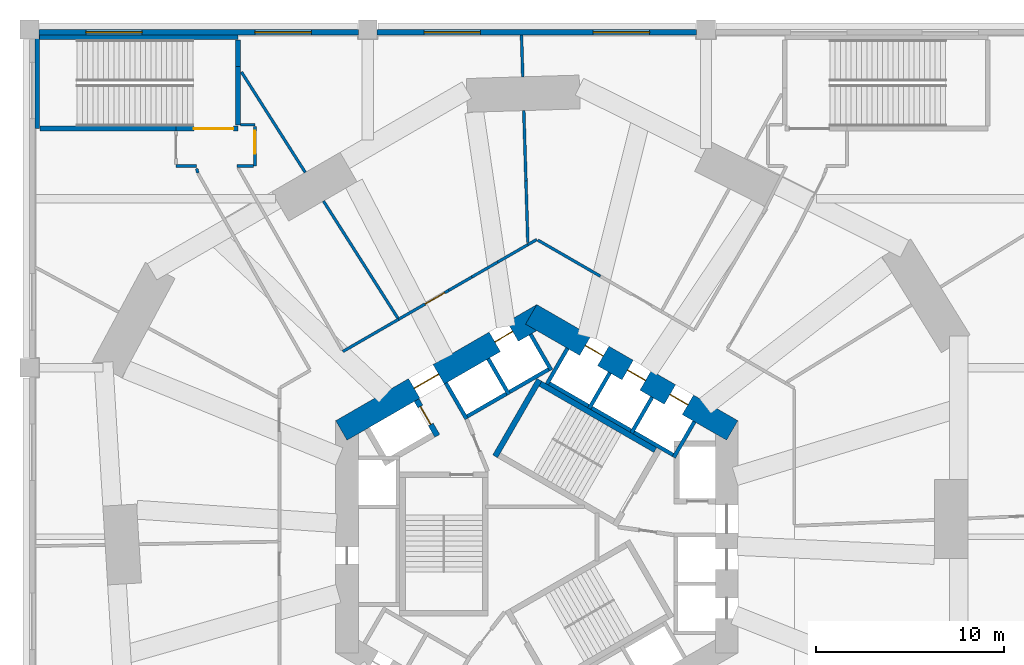
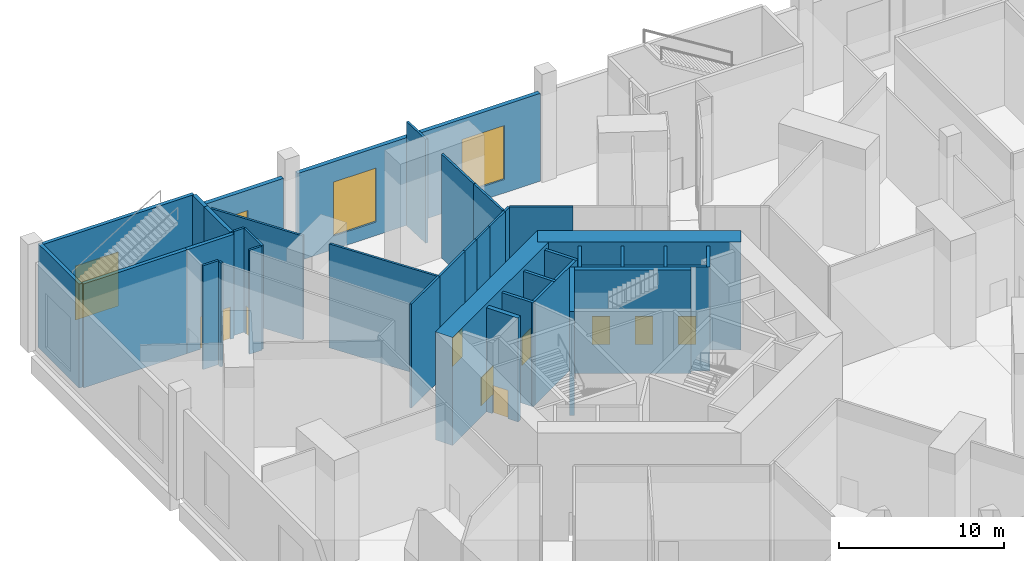
# One storey, part 9 of 15: 39 walls, 9 doors, 4 windows, 13 openings.
"""IFC4 building model written with IfcOpenShell, lengths in metres."""

from ifc_helpers import new_model, si_unit, direction, frame, frame_2d, origin, place, context, subcontext, project, spatial, rectangle, extrude, material, layer, layer_set, type_object, element, fill, save


model = new_model("IFC4")

# Units and contexts
model_context = context("Model", 3, precision=1e-05, world=origin(), true_north=direction((0.0, 1.0)))
body_context = subcontext(model_context, "Body", "Model", "MODEL_VIEW")
ifc_project = project(units=[si_unit("LENGTHUNIT", "METRE"), si_unit("AREAUNIT", "SQUARE_METRE"), si_unit("VOLUMEUNIT", "CUBIC_METRE"), si_unit("PLANEANGLEUNIT", "RADIAN"), si_unit("MASSUNIT", "GRAM", prefix="KILO")], contexts=[model_context])

# Site, building, storey
site_placement = place(None, origin())
site = spatial("IfcSite", under=ifc_project, at=site_placement, CompositionType="ELEMENT")
building_placement = place(site_placement, origin())
building = spatial("IfcBuilding", under=site, at=building_placement, Name="Vanh Sen Convention Tower", CompositionType="ELEMENT")
storey_placement = place(building_placement, frame((0.0, 0.0, 13.0)))
storey = spatial("IfcBuildingStorey", under=building, at=storey_placement, Name="L02", CompositionType="ELEMENT", Elevation=13.0)

# Wall
ifc_material_1 = material(Name="Concrete C40/50", Category="concrete")
ifc_layer_1 = layer(ifc_material_1, 0.25)
ifc_layer_set_1 = layer_set([ifc_layer_1], Name="Concrete C40/50")
wall_type_1 = type_object("IfcWallType", Name="Concrete wall 250 REI 180", PredefinedType="SOLIDWALL", material=ifc_layer_set_1)
wall_1_placement = place(storey_placement, frame((-19.199951171875, 21.72509765625, 0.0), z_axis=(0.0, 0.0, 1.0), x_axis=(-1.0, 0.0, 0.0)))
element("IfcWall", 1, at=wall_1_placement, inside=storey, type_object=wall_type_1, Name="Fire-resisting wall L02-106", PredefinedType="SOLIDWALL", context=body_context, shape_type="SweptSolid", body=[
    extrude(rectangle(XDim=7.239990234375, YDim=0.25, at=frame_2d((3.6201171875, 0.0))), origin(), (0.0, 0.0, 1.0), 7.699951171875),
])

# Wall, opening, door
wall_2_placement = place(storey_placement, frame((-15.89990234375, 21.72509765625, 0.0), z_axis=(0.0, 0.0, 1.0), x_axis=(-1.0, 0.0, 0.0)))
wall_2 = element("IfcWall", 2, at=wall_2_placement, inside=storey, type_object=wall_type_1, Name="Fire-resisting wall L02-107", PredefinedType="SOLIDWALL", context=body_context, shape_type="SweptSolid", body=[
    extrude(rectangle(XDim=3.300048828125, YDim=0.25, at=frame_2d((1.64990234375, 0.0))), origin(), (0.0, 0.0, 1.0), 7.699951171875),
])
opening_1_placement = place(wall_2_placement, frame((0.25, 0.0, 0.0)))
opening_1 = element("IfcOpeningElement", 3, at=opening_1_placement, cuts=wall_2, Name="Opening D02124", PredefinedType="OPENING", context=body_context, shape_type="SweptSolid", body=[
    extrude(rectangle(XDim=2.10009765625, YDim=2.39990234375, at=frame_2d((1.050048828125, 1.199951171875))), frame((0.0, 0.135009765625, 0.0), z_axis=(0.0, -1.0, 0.0), x_axis=(1.0, 0.0, 0.0)), (0.0, 0.0, 1.0), 0.27001953125),
])
ifc_material_2 = material(Name="Steel S355", Category="steel")
door_type_1 = type_object("IfcDoorType", Name="Stair door 2100 EI 60", OperationType="DOUBLE_DOOR_SINGLE_SWING", PredefinedType="DOOR", material=ifc_material_2)
door_1_placement = place(opening_1_placement, frame((2.10009765625, 0.0, 0.0), z_axis=(0.0, 0.0, 1.0), x_axis=(-1.0, 0.0, 0.0)))
door_1 = element("IfcDoor", 4, at=door_1_placement, inside=storey, type_object=door_type_1, Name="Stair door D02124", OperationType="DOUBLE_DOOR_SINGLE_SWING", OverallHeight=2.39990234375, OverallWidth=2.10009765625, PredefinedType="DOOR", context=body_context, shape_type="SweptSolid", body=[
    extrude(rectangle(XDim=2.10009765625, YDim=2.39990234375, at=frame_2d((1.050048828125, 1.199951171875))), frame((0.0, 0.02490234375, 0.0), z_axis=(0.0, -1.0, 0.0), x_axis=(1.0, 0.0, 0.0)), (0.0, 0.0, 1.0), 0.050048828125),
])
fill(opening_1, door_1)

# Walls
wall_3_placement = place(storey_placement, frame((-15.89990234375, 25.021484375, 0.0), z_axis=(0.0, 0.0, 1.0), x_axis=(0.0, -1.0, 0.0)))
element("IfcWall", 5, at=wall_3_placement, inside=storey, type_object=wall_type_1, Name="Fire-resisting wall L02-117", PredefinedType="SOLIDWALL", context=body_context, shape_type="SweptSolid", body=[
    extrude(rectangle(XDim=3.096435546875, YDim=0.25, at=frame_2d((1.54833984375, 0.0))), origin(), (0.0, 0.0, 1.0), 7.699951171875),
])
wall_4_placement = place(storey_placement, frame((-15.89990234375, 26.43994140625, 0.0), z_axis=(0.0, 0.0, 1.0), x_axis=(0.0, -1.0, 0.0)))
element("IfcWall", 6, at=wall_4_placement, inside=storey, type_object=wall_type_1, Name="Fire-resisting wall L02-118", PredefinedType="SOLIDWALL", context=body_context, shape_type="SweptSolid", body=[
    extrude(rectangle(XDim=1.41845703125, YDim=0.25, at=frame_2d((0.709228515625, 0.0))), origin(), (0.0, 0.0, 1.0), 7.699951171875),
])
wall_5_placement = place(storey_placement, frame((-26.574951171875, 21.72509765625, 0.0), z_axis=(0.0, 0.0, 1.0), x_axis=(0.0, 1.0, 0.0)))
element("IfcWall", 7, at=wall_5_placement, inside=storey, type_object=wall_type_1, Name="Stair enclosure wall PS5 L02", PredefinedType="SOLIDWALL", context=body_context, shape_type="SweptSolid", body=[
    extrude(rectangle(XDim=4.974853515625, YDim=0.25, at=frame_2d((2.4873046875, 0.0))), origin(), (0.0, 0.0, 1.0), 7.699951171875),
])
wall_6_placement = place(storey_placement, frame((-26.449951171875, 26.574951171875, 0.0), z_axis=(0.0, 0.0, 1.0), x_axis=(1.0, 0.0, 0.0)))
element("IfcWall", 8, at=wall_6_placement, inside=storey, type_object=wall_type_1, Name="Stair enclosure wall PS5 L02", PredefinedType="SOLIDWALL", context=body_context, shape_type="SweptSolid", body=[
    extrude(rectangle(XDim=10.550048828125, YDim=0.25, at=frame_2d((5.27490234375, 0.0))), origin(), (0.0, 0.0, 1.0), 7.699951171875),
])

# Wall, openings, doors
ifc_material_3 = material(Name="Concrete C80/95", Category="concrete")
ifc_layer_2 = layer(ifc_material_3, 1.199951171875)
ifc_layer_set_2 = layer_set([ifc_layer_2], Name="Concrete C80/95")
wall_type_2 = type_object("IfcWallType", Name="Core outer wall 1200 C80/95", PredefinedType="SHEAR", material=ifc_layer_set_2)
wall_7_placement = place(storey_placement, frame((10.39990234375, 5.657958984375, 0.0), z_axis=(0.0, 0.0, 1.0), x_axis=(-0.866021384402, 0.500006961711, 0.0)))
wall_7 = element("IfcWall", 9, at=wall_7_placement, inside=storey, type_object=wall_type_2, Name="Core wall face NE L02", PredefinedType="SHEAR", context=body_context, shape_type="SweptSolid", body=[
    extrude(rectangle(XDim=12.355224609375, YDim=1.199951171875, at=frame_2d((6.177734375, 0.0))), origin(), (0.0, 0.0, 1.0), 8.0),
])
opening_2_placement = place(wall_7_placement, frame((2.727783203125, 0.0, 0.0)))
opening_2 = element("IfcOpeningElement", 10, at=opening_2_placement, cuts=wall_7, Name="Opening LD-LR3", PredefinedType="OPENING", context=body_context, shape_type="SweptSolid", body=[
    extrude(rectangle(XDim=1.10009765625, YDim=2.10009765625, at=frame_2d((0.550048828125, 1.050048828125))), frame((0.0, 0.60986328125, 0.0), z_axis=(0.0, -1.0, 0.0), x_axis=(1.0, 0.0, 0.0)), (0.0, 0.0, 1.0), 1.219970703125),
])
opening_3_placement = place(wall_7_placement, frame((5.32763671875, 0.0, 0.0)))
opening_3 = element("IfcOpeningElement", 11, at=opening_3_placement, cuts=wall_7, Name="Opening LD-LR4", PredefinedType="OPENING", context=body_context, shape_type="SweptSolid", body=[
    extrude(rectangle(XDim=1.10009765625, YDim=2.10009765625, at=frame_2d((0.550048828125, 1.050048828125))), frame((0.0, 0.60986328125, 0.0), z_axis=(0.0, -1.0, 0.0), x_axis=(1.0, 0.0, 0.0)), (0.0, 0.0, 1.0), 1.219970703125),
])
opening_4_placement = place(wall_7_placement, frame((7.927734375, 0.0, 0.0)))
opening_4 = element("IfcOpeningElement", 12, at=opening_4_placement, cuts=wall_7, Name="Opening LD-LR5", PredefinedType="OPENING", context=body_context, shape_type="SweptSolid", body=[
    extrude(rectangle(XDim=1.10009765625, YDim=2.10009765625, at=frame_2d((0.550048828125, 1.050048828125))), frame((0.0, 0.60986328125, 0.0), z_axis=(0.0, -1.0, 0.0), x_axis=(1.0, 0.0, 0.0)), (0.0, 0.0, 1.0), 1.219970703125),
])
ifc_material_4 = material(Name="Stainless steel", Category="steel")
door_type_2 = type_object("IfcDoorType", Name="Lift landing door 1100", OperationType="DOUBLE_DOOR_SLIDING", PredefinedType="DOOR", material=ifc_material_4)
door_2_placement = place(opening_2_placement, origin())
door_2 = element("IfcDoor", 13, at=door_2_placement, inside=storey, type_object=door_type_2, Name="Lift LR3 landing door LD-LR3", OperationType="DOUBLE_DOOR_SLIDING", OverallHeight=2.10009765625, OverallWidth=1.10009765625, PredefinedType="DOOR", context=body_context, shape_type="SweptSolid", body=[
    extrude(rectangle(XDim=1.10009765625, YDim=2.10009765625, at=frame_2d((0.550048828125, 1.050048828125))), frame((0.0, 0.02490234375, 0.0), z_axis=(0.0, -1.0, 0.0), x_axis=(1.0, 0.0, 0.0)), (0.0, 0.0, 1.0), 0.050048828125),
])
fill(opening_2, door_2)
door_3_placement = place(opening_3_placement, origin())
door_3 = element("IfcDoor", 14, at=door_3_placement, inside=storey, type_object=door_type_2, Name="Lift LR4 landing door LD-LR4", OperationType="DOUBLE_DOOR_SLIDING", OverallHeight=2.10009765625, OverallWidth=1.10009765625, PredefinedType="DOOR", context=body_context, shape_type="SweptSolid", body=[
    extrude(rectangle(XDim=1.10009765625, YDim=2.10009765625, at=frame_2d((0.550048828125, 1.050048828125))), frame((0.0, 0.02490234375, 0.0), z_axis=(0.0, -1.0, 0.0), x_axis=(1.0, 0.0, 0.0)), (0.0, 0.0, 1.0), 0.050048828125),
])
fill(opening_3, door_3)
door_4_placement = place(opening_4_placement, origin())
door_4 = element("IfcDoor", 15, at=door_4_placement, inside=storey, type_object=door_type_2, Name="Lift LR5 landing door LD-LR5", OperationType="DOUBLE_DOOR_SLIDING", OverallHeight=2.10009765625, OverallWidth=1.10009765625, PredefinedType="DOOR", context=body_context, shape_type="SweptSolid", body=[
    extrude(rectangle(XDim=1.10009765625, YDim=2.10009765625, at=frame_2d((0.550048828125, 1.050048828125))), frame((0.0, 0.02490234375, 0.0), z_axis=(0.0, -1.0, 0.0), x_axis=(1.0, 0.0, 0.0)), (0.0, 0.0, 1.0), 0.050048828125),
])
fill(opening_4, door_4)

wall_8_placement = place(storey_placement, frame((0.300048828125, 11.835693359375, 0.0), z_axis=(0.0, 0.0, 1.0), x_axis=(-0.866021384402, -0.500006961711, 0.0)))
wall_8 = element("IfcWall", 16, at=wall_8_placement, inside=storey, type_object=wall_type_2, Name="Core wall face NW L02", PredefinedType="SHEAR", context=body_context, shape_type="SweptSolid", body=[
    extrude(rectangle(XDim=12.355224609375, YDim=1.199951171875, at=frame_2d((6.177734375, 0.0))), origin(), (0.0, 0.0, 1.0), 8.0),
])
opening_5_placement = place(wall_8_placement, frame((6.377685546875, 0.0, 0.0)))
opening_5 = element("IfcOpeningElement", 17, at=opening_5_placement, cuts=wall_8, Name="Opening D02002", PredefinedType="OPENING", context=body_context, shape_type="SweptSolid", body=[
    extrude(rectangle(XDim=1.5, YDim=2.10009765625, at=frame_2d((0.75, 1.050048828125))), frame((0.0, 0.60986328125, 0.0), z_axis=(0.0, -1.0, 0.0), x_axis=(1.0, 0.0, 0.0)), (0.0, 0.0, 1.0), 1.219970703125),
])
opening_6_placement = place(wall_8_placement, frame((1.82763671875, 0.0, 0.0)))
opening_6 = element("IfcOpeningElement", 18, at=opening_6_placement, cuts=wall_8, Name="Opening LD-LR6", PredefinedType="OPENING", context=body_context, shape_type="SweptSolid", body=[
    extrude(rectangle(XDim=1.10009765625, YDim=2.10009765625, at=frame_2d((0.550048828125, 1.050048828125))), frame((0.0, 0.60986328125, 0.0), z_axis=(0.0, -1.0, 0.0), x_axis=(1.0, 0.0, 0.0)), (0.0, 0.0, 1.0), 1.219970703125),
])
door_5_placement = place(opening_6_placement, origin())
door_5 = element("IfcDoor", 19, at=door_5_placement, inside=storey, type_object=door_type_2, Name="Lift LR6 landing door LD-LR6", OperationType="DOUBLE_DOOR_SLIDING", OverallHeight=2.10009765625, OverallWidth=1.10009765625, PredefinedType="DOOR", context=body_context, shape_type="SweptSolid", body=[
    extrude(rectangle(XDim=1.10009765625, YDim=2.10009765625, at=frame_2d((0.550048828125, 1.050048828125))), frame((0.0, 0.02490234375, 0.0), z_axis=(0.0, -1.0, 0.0), x_axis=(1.0, 0.0, 0.0)), (0.0, 0.0, 1.0), 0.050048828125),
])
fill(opening_6, door_5)
ifc_material_5 = material(Name="Steel S355", Category="steel")
door_type_3 = type_object("IfcDoorType", Name="Stair lobby door 1500", OperationType="DOUBLE_DOOR_SINGLE_SWING", PredefinedType="DOOR", material=ifc_material_5)
door_6_placement = place(opening_5_placement, origin())
door_6 = element("IfcDoor", 20, at=door_6_placement, inside=storey, type_object=door_type_3, Name="Stair lobby door D02002", OperationType="DOUBLE_DOOR_SINGLE_SWING", OverallHeight=2.10009765625, OverallWidth=1.5, PredefinedType="DOOR", context=body_context, shape_type="SweptSolid", body=[
    extrude(rectangle(XDim=1.5, YDim=2.10009765625, at=frame_2d((0.75, 1.050048828125))), frame((0.0, 0.02490234375, 0.0), z_axis=(0.0, -1.0, 0.0), x_axis=(1.0, 0.0, 0.0)), (0.0, 0.0, 1.0), 0.050048828125),
])
fill(opening_5, door_6)

# Wall, opening, door
ifc_material_6 = material(Name="Concrete C60/75", Category="concrete")
ifc_layer_3 = layer(ifc_material_6, 0.300048828125)
ifc_layer_set_3 = layer_set([ifc_layer_3], Name="Concrete C60/75")
wall_type_3 = type_object("IfcWallType", Name="Fire-fighting lift shaft wall 300", PredefinedType="SHEAR", material=ifc_layer_set_3)
wall_9_placement = place(storey_placement, frame((-5.29541015625, 5.3720703125, 0.0), z_axis=(0.0, 0.0, 1.0), x_axis=(-0.500077893725, 0.86598042715, 0.0)))
wall_9 = element("IfcWall", 21, at=wall_9_placement, inside=storey, type_object=wall_type_3, Name="Fire-fighting lift shaft wall L02", PredefinedType="SHEAR", context=body_context, shape_type="SweptSolid", body=[
    extrude(rectangle(XDim=2.199951171875, YDim=0.300048828125, at=frame_2d((1.10009765625, 0.0))), origin(), (0.0, 0.0, 1.0), 7.699951171875),
])
opening_7_placement = place(wall_9_placement, frame((0.699951171875, 0.0, 0.0)))
opening_7 = element("IfcOpeningElement", 22, at=opening_7_placement, cuts=wall_9, Name="Opening LD-FF2", PredefinedType="OPENING", context=body_context, shape_type="SweptSolid", body=[
    extrude(rectangle(XDim=1.10009765625, YDim=2.10009765625, at=frame_2d((0.550048828125, 1.050048828125))), frame((0.0, 0.159912109375, 0.0), z_axis=(0.0, -1.0, 0.0), x_axis=(1.0, 0.0, 0.0)), (0.0, 0.0, 1.0), 0.320068359375),
])
door_type_4 = type_object("IfcDoorType", Name="Fire-fighting lift landing door 1100", OperationType="DOUBLE_DOOR_SLIDING", PredefinedType="DOOR", material=ifc_material_4)
door_7_placement = place(opening_7_placement, origin())
door_7 = element("IfcDoor", 23, at=door_7_placement, inside=storey, type_object=door_type_4, Name="Lift FF2 landing door LD-FF2", OperationType="DOUBLE_DOOR_SLIDING", OverallHeight=2.10009765625, OverallWidth=1.10009765625, PredefinedType="DOOR", context=body_context, shape_type="SweptSolid", body=[
    extrude(rectangle(XDim=1.10009765625, YDim=2.10009765625, at=frame_2d((0.550048828125, 1.050048828125))), frame((0.0, 0.02490234375, 0.0), z_axis=(0.0, -1.0, 0.0), x_axis=(1.0, 0.0, 0.0)), (0.0, 0.0, 1.0), 0.050048828125),
])
fill(opening_7, door_7)

# Walls
ifc_layer_4 = layer(ifc_material_1, 0.199951171875)
ifc_layer_set_4 = layer_set([ifc_layer_4], Name="Concrete C40/50")
wall_type_4 = type_object("IfcWallType", Name="Lift shaft wall 200", PredefinedType="PARTITIONING", material=ifc_layer_set_4)
wall_10_placement = place(storey_placement, frame((7.423828125, 4.258544921875, 0.0), z_axis=(0.0, 0.0, 1.0), x_axis=(-0.866026010844, 0.49999894854, 0.0)))
element("IfcWall", 24, at=wall_10_placement, inside=storey, type_object=wall_type_4, Name="Lift shaft wall L02", PredefinedType="PARTITIONING", context=body_context, shape_type="SweptSolid", body=[
    extrude(rectangle(XDim=8.0, YDim=0.199951171875, at=frame_2d((4.0, 0.0))), origin(), (0.0, 0.0, 1.0), 7.699951171875),
])
for number, where, z_axis, x_axis, name in (
    (25, (7.287353515625, 4.221923828125, 0.0), (0.0, 0.0, 1.0), (0.499946605688, 0.86605622881, 0.0), "Lift shaft wall L02"),
    (26, (5.03564453125, 5.52197265625, 0.0), (0.0, 0.0, 1.0), (0.499946605688, 0.86605622881, 0.0), "Lift shaft wall L02"),
    (27, (2.783935546875, 6.822021484375, 0.0), (0.0, 0.0, 1.0), (0.50002983664, 0.866008176907, 0.0), "Lift shaft wall L02"),
    (28, (0.5322265625, 8.1220703125, 0.0), (0.0, 0.0, 1.0), (0.500077893725, 0.86598042715, 0.0), "Lift shaft wall L02"),
):
    element("IfcWall", number, at=place(storey_placement, frame(where, z_axis=z_axis, x_axis=x_axis)), inside=storey, type_object=wall_type_4, Name=name, PredefinedType="PARTITIONING", context=body_context, shape_type="SweptSolid", body=[
        extrude(rectangle(XDim=2.199951171875, YDim=0.199951171875, at=frame_2d((1.10009765625, 0.0))), origin(), (0.0, 0.0, 1.0), 7.699951171875),
    ])
wall_11_placement = place(storey_placement, frame((0.80322265625, 9.008544921875, 0.0), z_axis=(0.0, 0.0, 1.0), x_axis=(-0.866028230842, -0.499995103361, 0.0)))
element("IfcWall", 29, at=wall_11_placement, inside=storey, type_object=wall_type_4, Name="Lift shaft wall L02", PredefinedType="PARTITIONING", context=body_context, shape_type="SweptSolid", body=[
    extrude(rectangle(XDim=5.39990234375, YDim=0.199951171875, at=frame_2d((2.699951171875, 0.0))), origin(), (0.0, 0.0, 1.0), 7.699951171875),
])
wall_12_placement = place(storey_placement, frame((0.7666015625, 8.8720703125, 0.0), z_axis=(0.0, 0.0, 1.0), x_axis=(-0.499994660107, 0.866028486751, 0.0)))
element("IfcWall", 30, at=wall_12_placement, inside=storey, type_object=wall_type_4, Name="Lift shaft wall L02", PredefinedType="PARTITIONING", context=body_context, shape_type="SweptSolid", body=[
    extrude(rectangle(XDim=2.19970703125, YDim=0.199951171875, at=frame_2d((1.099853515625, 0.0))), origin(), (0.0, 0.0, 1.0), 7.699951171875),
])
for number, where, z_axis, x_axis, name in (
    (31, (-1.48486328125, 7.572021484375, 0.0), (0.0, 0.0, 1.0), (-0.50002983664, 0.866008176907, 0.0), "Lift shaft wall L02"),
    (32, (-3.736572265625, 6.27197265625, 0.0), (0.0, 0.0, 1.0), (-0.50002983664, 0.866008176907, 0.0), "Lift shaft wall L02"),
):
    element("IfcWall", number, at=place(storey_placement, frame(where, z_axis=z_axis, x_axis=x_axis)), inside=storey, type_object=wall_type_4, Name=name, PredefinedType="PARTITIONING", context=body_context, shape_type="SweptSolid", body=[
        extrude(rectangle(XDim=2.199951171875, YDim=0.199951171875, at=frame_2d((1.10009765625, 0.0))), origin(), (0.0, 0.0, 1.0), 7.699951171875),
    ])
ifc_material_7 = material(Name="Gypsum board on steel studs", Category="steel")
ifc_layer_5 = layer(ifc_material_7, 0.14990234375)
ifc_layer_set_5 = layer_set([ifc_layer_5], Name="Gypsum board on steel studs")
wall_type_5 = type_object("IfcWallType", Name="Partition 150 EI 60", PredefinedType="PARTITIONING", material=ifc_layer_set_5)
wall_13_placement = place(storey_placement, frame((-10.320556640625, 9.860595703125, 0.0), z_axis=(0.0, 0.0, 1.0), x_axis=(0.865970719175, 0.500094704563, 0.0)))
element("IfcWall", 33, at=wall_13_placement, inside=storey, type_object=wall_type_5, Name="Partition L02-067", PredefinedType="PARTITIONING", context=body_context, shape_type="SweptSolid", body=[
    extrude(rectangle(XDim=3.425048828125, YDim=0.14990234375, at=frame_2d((1.71240234375, 0.0))), origin(), (0.0, 0.0, 1.0), 7.699951171875),
])

# Wall, opening, door
wall_14_placement = place(storey_placement, frame((-7.3544921875, 11.573486328125, 0.0), z_axis=(0.0, 0.0, 1.0), x_axis=(0.866051051954, 0.499955573435, 0.0)))
wall_14 = element("IfcWall", 34, at=wall_14_placement, inside=storey, type_object=wall_type_5, Name="Partition L02-070", PredefinedType="PARTITIONING", context=body_context, shape_type="SweptSolid", body=[
    extrude(rectangle(XDim=3.082275390625, YDim=0.14990234375, at=frame_2d((1.541015625, 0.0))), origin(), (0.0, 0.0, 1.0), 7.699951171875),
])
opening_8_placement = place(wall_14_placement, frame((1.63232421875, 0.0, 0.0)))
opening_8 = element("IfcOpeningElement", 35, at=opening_8_placement, cuts=wall_14, Name="Opening D02119", PredefinedType="OPENING", context=body_context, shape_type="SweptSolid", body=[
    extrude(rectangle(XDim=1.199951171875, YDim=2.10009765625, at=frame_2d((0.60009765625, 1.050048828125))), frame((0.0, 0.0849609375, 0.0), z_axis=(0.0, -1.0, 0.0), x_axis=(1.0, 0.0, 0.0)), (0.0, 0.0, 1.0), 0.169921875),
])
ifc_material_8 = material(Name="Timber door in steel frame", Category="steel")
door_type_5 = type_object("IfcDoorType", Name="Room door 1200 EI 30", OperationType="SINGLE_SWING_LEFT", PredefinedType="DOOR", material=ifc_material_8)
door_8_placement = place(opening_8_placement, origin())
door_8 = element("IfcDoor", 36, at=door_8_placement, inside=storey, type_object=door_type_5, Name="Room door D02119", OperationType="SINGLE_SWING_LEFT", OverallHeight=2.10009765625, OverallWidth=1.199951171875, PredefinedType="DOOR", context=body_context, shape_type="SweptSolid", body=[
    extrude(rectangle(XDim=1.199951171875, YDim=2.10009765625, at=frame_2d((0.60009765625, 1.050048828125))), frame((0.0, 0.02490234375, 0.0), z_axis=(0.0, -1.0, 0.0), x_axis=(1.0, 0.0, 0.0)), (0.0, 0.0, 1.0), 0.050048828125),
])
fill(opening_8, door_8)

# Walls
wall_15_placement = place(storey_placement, frame((-7.3974609375, 11.64111328125, 0.0), z_axis=(0.0, 0.0, 1.0), x_axis=(-0.536312130721, 0.844019726334, 0.0)))
element("IfcWall", 37, at=wall_15_placement, inside=storey, type_object=wall_type_5, Name="Partition L02-071", PredefinedType="PARTITIONING", context=body_context, shape_type="SweptSolid", body=[
    extrude(rectangle(XDim=7.37646484375, YDim=0.14990234375, at=frame_2d((3.688232421875, 0.0))), origin(), (0.0, 0.0, 1.0), 7.699951171875),
])
wall_16_placement = place(storey_placement, frame((-3.459716796875, 13.822021484375, 0.0), z_axis=(0.0, 0.0, 1.0), x_axis=(-0.866004557827, -0.500036104519, 0.0)))
element("IfcWall", 38, at=wall_16_placement, inside=storey, type_object=wall_type_5, Name="Partition L02-079", PredefinedType="PARTITIONING", context=body_context, shape_type="SweptSolid", body=[
    extrude(rectangle(XDim=1.4150390625, YDim=0.14990234375, at=frame_2d((0.70751953125, 0.0))), origin(), (0.0, 0.0, 1.0), 7.699951171875),
])
wall_17_placement = place(storey_placement, frame((3.385986328125, 13.864501953125, 0.0), z_axis=(0.0, 0.0, 1.0), x_axis=(-0.866006051527, 0.500033517596, 0.0)))
element("IfcWall", 39, at=wall_17_placement, inside=storey, type_object=wall_type_5, Name="Partition L02-080", PredefinedType="PARTITIONING", context=body_context, shape_type="SweptSolid", body=[
    extrude(rectangle(XDim=3.849853515625, YDim=0.14990234375, at=frame_2d((1.9248046875, 0.0))), origin(), (0.0, 0.0, 1.0), 7.699951171875),
])
wall_18_placement = place(storey_placement, frame((-2.0869140625, 14.614501953125, 0.0), z_axis=(0.0, 0.0, 1.0), x_axis=(-0.866054784643, -0.499949107407, 0.0)))
element("IfcWall", 40, at=wall_18_placement, inside=storey, type_object=wall_type_5, Name="Partition L02-081", PredefinedType="PARTITIONING", context=body_context, shape_type="SweptSolid", body=[
    extrude(rectangle(XDim=1.585205078125, YDim=0.14990234375, at=frame_2d((0.79248046875, 0.0))), origin(), (0.0, 0.0, 1.0), 7.699951171875),
])
wall_19_placement = place(storey_placement, frame((-2.0869140625, 14.614501953125, 0.0), z_axis=(0.0, 0.0, 1.0), x_axis=(0.866006459158, 0.500032811619, 0.0)))
element("IfcWall", 41, at=wall_19_placement, inside=storey, type_object=wall_type_5, Name="Partition L02-082", PredefinedType="PARTITIONING", context=body_context, shape_type="SweptSolid", body=[
    extrude(rectangle(XDim=1.861083984375, YDim=0.14990234375, at=frame_2d((0.9306640625, 0.0))), origin(), (0.0, 0.0, 1.0), 7.699951171875),
])
wall_20_placement = place(storey_placement, frame((-0.47509765625, 15.545166015625, 0.0), z_axis=(0.0, 0.0, 1.0), x_axis=(0.865933599817, 0.500158975434, 0.0)))
element("IfcWall", 42, at=wall_20_placement, inside=storey, type_object=wall_type_5, Name="Partition L02-083", PredefinedType="PARTITIONING", context=body_context, shape_type="SweptSolid", body=[
    extrude(rectangle(XDim=0.548583984375, YDim=0.14990234375, at=frame_2d((0.2744140625, 0.0))), origin(), (0.0, 0.0, 1.0), 7.699951171875),
])
wall_21_placement = place(storey_placement, frame((-0.5791015625, 18.945556640625, 0.0), z_axis=(0.0, 0.0, 1.0), x_axis=(0.030572886356, -0.999532540051, 0.0)))
element("IfcWall", 43, at=wall_21_placement, inside=storey, type_object=wall_type_5, Name="Partition L02-087", PredefinedType="PARTITIONING", context=body_context, shape_type="SweptSolid", body=[
    extrude(rectangle(XDim=3.281982421875, YDim=0.14990234375, at=frame_2d((1.64111328125, 0.0))), origin(), (0.0, 0.0, 1.0), 7.699951171875),
])
wall_22_placement = place(storey_placement, frame((-0.5791015625, 18.945556640625, 0.0), z_axis=(0.0, 0.0, 1.0), x_axis=(-0.030471255388, 0.999535643484, 0.0)))
element("IfcWall", 44, at=wall_22_placement, inside=storey, type_object=wall_type_5, Name="Partition L02-088", PredefinedType="PARTITIONING", context=body_context, shape_type="SweptSolid", body=[
    extrude(rectangle(XDim=3.733642578125, YDim=0.14990234375, at=frame_2d((1.86669921875, 0.0))), origin(), (0.0, 0.0, 1.0), 7.699951171875),
])
wall_23_placement = place(storey_placement, frame((-18.0380859375, 19.36181640625, 0.0), z_axis=(0.0, 0.0, 1.0), x_axis=(-0.257536433885, 0.966268588552, 0.0)))
element("IfcWall", 45, at=wall_23_placement, inside=storey, type_object=wall_type_5, Name="Partition L02-089", PredefinedType="PARTITIONING", context=body_context, shape_type="SweptSolid", body=[
    extrude(rectangle(XDim=0.24072265625, YDim=0.14990234375, at=frame_2d((0.120361328125, 0.0))), origin(), (0.0, 0.0, 1.0), 7.699951171875),
])
wall_24_placement = place(storey_placement, frame((-12.31982421875, 19.387451171875, 0.0), z_axis=(0.0, 0.0, 1.0), x_axis=(-0.536309341483, 0.844021498682, 0.0)))
element("IfcWall", 46, at=wall_24_placement, inside=storey, type_object=wall_type_5, Name="Partition L02-091", PredefinedType="PARTITIONING", context=body_context, shape_type="SweptSolid", body=[
    extrude(rectangle(XDim=6.33544921875, YDim=0.14990234375, at=frame_2d((3.167724609375, 0.0))), origin(), (0.0, 0.0, 1.0), 7.699951171875),
])
wall_25_placement = place(storey_placement, frame((-18.10009765625, 19.72509765625, 0.0), z_axis=(0.0, 0.0, 1.0), x_axis=(-1.0, 0.0, 0.0)))
element("IfcWall", 47, at=wall_25_placement, inside=storey, type_object=wall_type_5, Name="Partition L02-098", PredefinedType="PARTITIONING", context=body_context, shape_type="SweptSolid", body=[
    extrude(rectangle(XDim=1.099853515625, YDim=0.14990234375, at=frame_2d((0.5498046875, 0.0))), origin(), (0.0, 0.0, 1.0), 7.699951171875),
])
wall_26_placement = place(storey_placement, frame((-15.080078125, 19.72509765625, 0.0), z_axis=(0.0, 0.0, 1.0), x_axis=(-1.0, 0.0, 0.0)))
element("IfcWall", 48, at=wall_26_placement, inside=storey, type_object=wall_type_5, Name="Partition L02-099", PredefinedType="PARTITIONING", context=body_context, shape_type="SweptSolid", body=[
    extrude(rectangle(XDim=0.868408203125, YDim=0.14990234375, at=frame_2d((0.43408203125, 0.0))), origin(), (0.0, 0.0, 1.0), 7.699951171875),
])

# Wall, opening, door
wall_27_placement = place(storey_placement, frame((-15.0, 21.844970703125, 0.0), z_axis=(0.0, 0.0, 1.0), x_axis=(0.0, -1.0, 0.0)))
wall_27 = element("IfcWall", 49, at=wall_27_placement, inside=storey, type_object=wall_type_5, Name="Partition L02-111", PredefinedType="PARTITIONING", context=body_context, shape_type="SweptSolid", body=[
    extrude(rectangle(XDim=2.119873046875, YDim=0.14990234375, at=frame_2d((1.06005859375, 0.0))), origin(), (0.0, 0.0, 1.0), 7.699951171875),
])
opening_9_placement = place(wall_27_placement, frame((0.25, 0.0, 0.0)))
opening_9 = element("IfcOpeningElement", 50, at=opening_9_placement, cuts=wall_27, Name="Opening D02127", PredefinedType="OPENING", context=body_context, shape_type="SweptSolid", body=[
    extrude(rectangle(XDim=1.199951171875, YDim=2.10009765625, at=frame_2d((0.60009765625, 1.050048828125))), frame((0.0, 0.0849609375, 0.0), z_axis=(0.0, -1.0, 0.0), x_axis=(1.0, 0.0, 0.0)), (0.0, 0.0, 1.0), 0.169921875),
])
door_9_placement = place(opening_9_placement, origin())
door_9 = element("IfcDoor", 51, at=door_9_placement, inside=storey, type_object=door_type_5, Name="Room door D02127", OperationType="SINGLE_SWING_LEFT", OverallHeight=2.10009765625, OverallWidth=1.199951171875, PredefinedType="DOOR", context=body_context, shape_type="SweptSolid", body=[
    extrude(rectangle(XDim=1.199951171875, YDim=2.10009765625, at=frame_2d((0.60009765625, 1.050048828125))), frame((0.0, 0.02490234375, 0.0), z_axis=(0.0, -1.0, 0.0), x_axis=(1.0, 0.0, 0.0)), (0.0, 0.0, 1.0), 0.050048828125),
])
fill(opening_9, door_9)

# Walls
wall_28_placement = place(storey_placement, frame((-15.760009765625, 21.925048828125, 0.0), z_axis=(0.0, 0.0, 1.0), x_axis=(1.0, 0.0, 0.0)))
element("IfcWall", 52, at=wall_28_placement, inside=storey, type_object=wall_type_5, Name="Partition L02-112", PredefinedType="PARTITIONING", context=body_context, shape_type="SweptSolid", body=[
    extrude(rectangle(XDim=0.760009765625, YDim=0.14990234375, at=frame_2d((0.3798828125, 0.0))), origin(), (0.0, 0.0, 1.0), 7.699951171875),
])
wall_29_placement = place(storey_placement, frame((-0.747802734375, 24.476806640625, 0.0), z_axis=(0.0, 0.0, 1.0), x_axis=(-0.030405439098, 0.999537647752, 0.0)))
element("IfcWall", 53, at=wall_29_placement, inside=storey, type_object=wall_type_5, Name="Partition L02-116", PredefinedType="PARTITIONING", context=body_context, shape_type="SweptSolid", body=[
    extrude(rectangle(XDim=2.22412109375, YDim=0.14990234375, at=frame_2d((1.112060546875, 0.0))), origin(), (0.0, 0.0, 1.0), 7.699951171875),
])

# Wall, openings, windows
ifc_material_9 = material(Name="Concrete C50/60", Category="concrete")
ifc_layer_6 = layer(ifc_material_9, 0.300048828125)
ifc_layer_set_6 = layer_set([ifc_layer_6], Name="Concrete C50/60")
wall_type_6 = type_object("IfcWallType", Name="Podium wall 300", PredefinedType="STANDARD", material=ifc_layer_set_6)
wall_30_placement = place(storey_placement, frame((8.5, 26.85009765625, 0.0), z_axis=(0.0, 0.0, 1.0), x_axis=(-1.0, 0.0, 0.0)))
wall_30 = element("IfcWall", 54, at=wall_30_placement, inside=storey, type_object=wall_type_6, Name="Podium wall N3 L02", PredefinedType="STANDARD", context=body_context, shape_type="SweptSolid", body=[
    extrude(rectangle(XDim=17.0, YDim=0.300048828125, at=frame_2d((8.5, 0.0))), origin(), (0.0, 0.0, 1.0), 6.5),
])
opening_10_placement = place(wall_30_placement, frame((2.5, 0.0, 1.0)))
opening_10 = element("IfcOpeningElement", 55, at=opening_10_placement, cuts=wall_30, Name="Opening WP3-N5", PredefinedType="OPENING", context=body_context, shape_type="SweptSolid", body=[
    extrude(rectangle(XDim=3.0, YDim=4.0, at=frame_2d((1.5, 2.0))), frame((0.0, 0.159912109375, 0.0), z_axis=(0.0, -1.0, 0.0), x_axis=(1.0, 0.0, 0.0)), (0.0, 0.0, 1.0), 0.320068359375),
])
opening_11_placement = place(wall_30_placement, frame((11.5, 0.0, 1.0)))
opening_11 = element("IfcOpeningElement", 56, at=opening_11_placement, cuts=wall_30, Name="Opening WP3-N6", PredefinedType="OPENING", context=body_context, shape_type="SweptSolid", body=[
    extrude(rectangle(XDim=3.0, YDim=4.0, at=frame_2d((1.5, 2.0))), frame((0.0, 0.159912109375, 0.0), z_axis=(0.0, -1.0, 0.0), x_axis=(1.0, 0.0, 0.0)), (0.0, 0.0, 1.0), 0.320068359375),
])
ifc_material_10 = material(Name="Aluminium frame with clear low-emissivity glass", Category="aluminium")
window_type = type_object("IfcWindowType", Name="Podium window 3000 x 4000", PartitioningType="SINGLE_PANEL", PredefinedType="WINDOW", material=ifc_material_10)
window_1_placement = place(opening_10_placement, origin())
window_1 = element("IfcWindow", 57, at=window_1_placement, inside=storey, type_object=window_type, Name="Window WP3-N5", OverallHeight=4.0, OverallWidth=3.0, PartitioningType="SINGLE_PANEL", PredefinedType="WINDOW", context=body_context, shape_type="SweptSolid", body=[
    extrude(rectangle(XDim=3.0, YDim=4.0, at=frame_2d((1.5, 2.0))), frame((0.0, 0.030029296875, 0.0), z_axis=(0.0, -1.0, 0.0), x_axis=(1.0, 0.0, 0.0)), (0.0, 0.0, 1.0), 0.06005859375),
])
fill(opening_10, window_1)
window_2_placement = place(opening_11_placement, origin())
window_2 = element("IfcWindow", 58, at=window_2_placement, inside=storey, type_object=window_type, Name="Window WP3-N6", OverallHeight=4.0, OverallWidth=3.0, PartitioningType="SINGLE_PANEL", PredefinedType="WINDOW", context=body_context, shape_type="SweptSolid", body=[
    extrude(rectangle(XDim=3.0, YDim=4.0, at=frame_2d((1.5, 2.0))), frame((0.0, 0.030029296875, 0.0), z_axis=(0.0, -1.0, 0.0), x_axis=(1.0, 0.0, 0.0)), (0.0, 0.0, 1.0), 0.06005859375),
])
fill(opening_11, window_2)

wall_31_placement = place(storey_placement, frame((-9.5, 26.85009765625, 0.0), z_axis=(0.0, 0.0, 1.0), x_axis=(-1.0, 0.0, 0.0)))
wall_31 = element("IfcWall", 59, at=wall_31_placement, inside=storey, type_object=wall_type_6, Name="Podium wall N4 L02", PredefinedType="STANDARD", context=body_context, shape_type="SweptSolid", body=[
    extrude(rectangle(XDim=17.0, YDim=0.300048828125, at=frame_2d((8.5, 0.0))), origin(), (0.0, 0.0, 1.0), 6.5),
])
opening_12_placement = place(wall_31_placement, frame((2.5, 0.0, 1.0)))
opening_12 = element("IfcOpeningElement", 60, at=opening_12_placement, cuts=wall_31, Name="Opening WP3-N7", PredefinedType="OPENING", context=body_context, shape_type="SweptSolid", body=[
    extrude(rectangle(XDim=3.0, YDim=4.0, at=frame_2d((1.5, 2.0))), frame((0.0, 0.159912109375, 0.0), z_axis=(0.0, -1.0, 0.0), x_axis=(1.0, 0.0, 0.0)), (0.0, 0.0, 1.0), 0.320068359375),
])
opening_13_placement = place(wall_31_placement, frame((11.5, 0.0, 1.0)))
opening_13 = element("IfcOpeningElement", 61, at=opening_13_placement, cuts=wall_31, Name="Opening WP3-N8", PredefinedType="OPENING", context=body_context, shape_type="SweptSolid", body=[
    extrude(rectangle(XDim=3.0, YDim=4.0, at=frame_2d((1.5, 2.0))), frame((0.0, 0.159912109375, 0.0), z_axis=(0.0, -1.0, 0.0), x_axis=(1.0, 0.0, 0.0)), (0.0, 0.0, 1.0), 0.320068359375),
])
window_3_placement = place(opening_12_placement, origin())
window_3 = element("IfcWindow", 62, at=window_3_placement, inside=storey, type_object=window_type, Name="Window WP3-N7", OverallHeight=4.0, OverallWidth=3.0, PartitioningType="SINGLE_PANEL", PredefinedType="WINDOW", context=body_context, shape_type="SweptSolid", body=[
    extrude(rectangle(XDim=3.0, YDim=4.0, at=frame_2d((1.5, 2.0))), frame((0.0, 0.030029296875, 0.0), z_axis=(0.0, -1.0, 0.0), x_axis=(1.0, 0.0, 0.0)), (0.0, 0.0, 1.0), 0.06005859375),
])
fill(opening_12, window_3)
window_4_placement = place(opening_13_placement, origin())
window_4 = element("IfcWindow", 63, at=window_4_placement, inside=storey, type_object=window_type, Name="Window WP3-N8", OverallHeight=4.0, OverallWidth=3.0, PartitioningType="SINGLE_PANEL", PredefinedType="WINDOW", context=body_context, shape_type="SweptSolid", body=[
    extrude(rectangle(XDim=3.0, YDim=4.0, at=frame_2d((1.5, 2.0))), frame((0.0, 0.030029296875, 0.0), z_axis=(0.0, -1.0, 0.0), x_axis=(1.0, 0.0, 0.0)), (0.0, 0.0, 1.0), 0.06005859375),
])
fill(opening_13, window_4)

# Walls
ifc_layer_7 = layer(ifc_material_6, 0.300048828125)
ifc_layer_set_7 = layer_set([ifc_layer_7], Name="Concrete C60/75")
wall_type_7 = type_object("IfcWallType", Name="Stair wall 300", PredefinedType="SHEAR", material=ifc_layer_set_7)
wall_32_placement = place(storey_placement, frame((-2.216064453125, 4.28173828125, 0.0), z_axis=(0.0, 0.0, 1.0), x_axis=(0.499977259774, 0.866038532462, 0.0)))
element("IfcWall", 64, at=wall_32_placement, inside=storey, type_object=wall_type_7, Name="Stair wall L02", PredefinedType="SHEAR", context=body_context, shape_type="SweptSolid", body=[
    extrude(rectangle(XDim=4.699951171875, YDim=0.300048828125, at=frame_2d((2.35009765625, 0.0))), origin(), (0.0, 0.0, 1.0), 7.699951171875),
])
wall_33_placement = place(storey_placement, frame((6.302978515625, 4.6171875, 0.0), z_axis=(0.0, 0.0, 1.0), x_axis=(-0.866027801685, 0.499995846692, 0.0)))
element("IfcWall", 65, at=wall_33_placement, inside=storey, type_object=wall_type_7, Name="Stair wall L02", PredefinedType="SHEAR", context=body_context, shape_type="SweptSolid", body=[
    extrude(rectangle(XDim=7.06005859375, YDim=0.300048828125, at=frame_2d((3.530029296875, 0.0))), origin(), (0.0, 0.0, 1.0), 7.699951171875),
])

save(model, "model.ifc")
